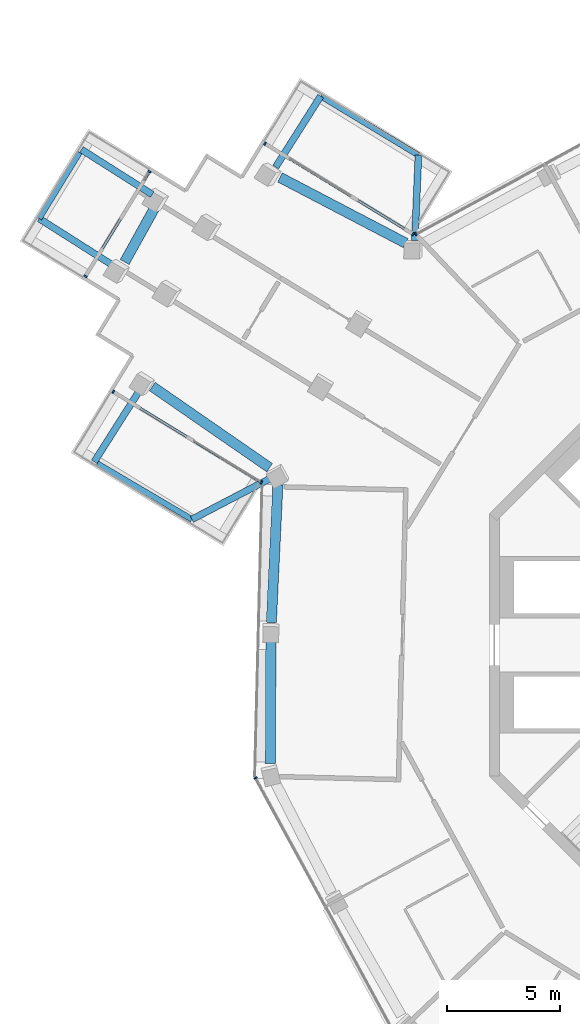
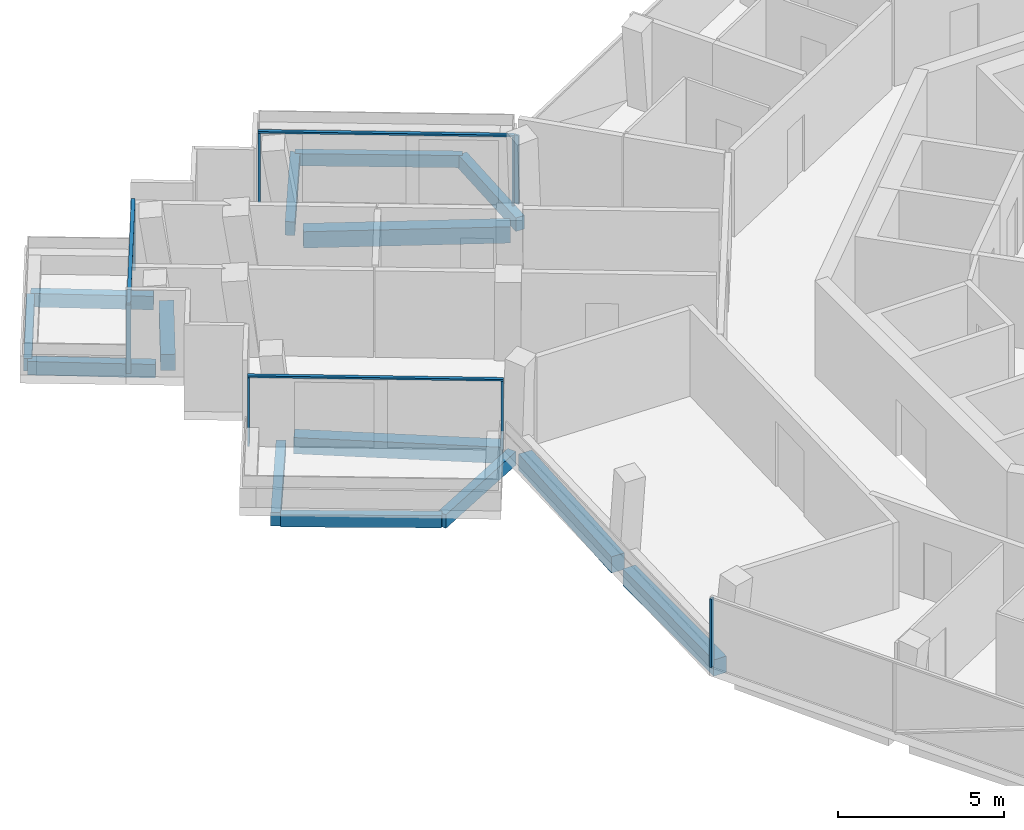
# One storey, part 5 of 24: 14 beams, 11 members, 5 elements without a shape of their own.
"""IFC4 building model written with IfcOpenShell, lengths in metres."""

from ifc_helpers import new_model, si_unit, direction, frame, origin, origin_2d, place, context, subcontext, project, spatial, rectangle, extrude, material, layer, layer_set, material_profile, profile_set, type_object, element, aggregate, save


model = new_model("IFC4")

# Units and contexts
model_context = context("Model", 3, precision=1e-05, world=origin(), true_north=direction((0.0, 1.0)))
body_context = subcontext(model_context, "Body", "Model", "MODEL_VIEW")
ifc_project = project(units=[si_unit("LENGTHUNIT", "METRE"), si_unit("AREAUNIT", "SQUARE_METRE"), si_unit("VOLUMEUNIT", "CUBIC_METRE"), si_unit("PLANEANGLEUNIT", "RADIAN"), si_unit("MASSUNIT", "GRAM", prefix="KILO")], contexts=[model_context])

# Site, building, storey
site_placement = place(None, origin())
site = spatial("IfcSite", under=ifc_project, at=site_placement, CompositionType="ELEMENT")
building_placement = place(site_placement, origin())
building = spatial("IfcBuilding", under=site, at=building_placement, Name="Verdalira Terraces Hotel", CompositionType="ELEMENT")
storey_placement = place(building_placement, frame((0.0, 0.0, 274.0)))
storey = spatial("IfcBuildingStorey", under=building, at=storey_placement, Name="L67", CompositionType="ELEMENT", Elevation=274.0)

# Beams
ifc_material_1 = material(Name="Concrete C40", Category="concrete")
ifc_material_profile_1 = material_profile(ifc_material_1, rectangle(XDim=0.300049, YDim=0.5, at=origin_2d()), Name="RC 300X500")
ifc_profile_set_1 = profile_set([ifc_material_profile_1], Name="Concrete C40")
beam_type_1 = type_object("IfcBeamType", Name="Balcony cantilever beam RC 300X500 C40", PredefinedType="BEAM", material=ifc_profile_set_1)
beam_1_placement = place(storey_placement, frame((-17.291016, 17.873779, -0.560059), z_axis=(0.041918896, 0.999121017, 0.0), x_axis=(-0.999121017, 0.041918896, 0.0)))
element("IfcBeam", 1, at=beam_1_placement, inside=storey, type_object=beam_type_1, Name="Balcony cantilever beam R00-1", PredefinedType="BEAM", context=body_context, shape_type="SweptSolid", body=[
    extrude(rectangle(XDim=0.300049, YDim=0.5, at=origin_2d()), origin(), (0.0, 0.0, 1.0), 3.768311),
])
beam_2_placement = place(storey_placement, frame((-23.438232, 21.117432, -0.560059), z_axis=(0.535814513, 0.84433572, 0.0), x_axis=(-0.84433572, 0.535814513, 0.0)))
element("IfcBeam", 2, at=beam_2_placement, inside=storey, type_object=beam_type_1, Name="Balcony cantilever beam R00-2", PredefinedType="BEAM", context=body_context, shape_type="SweptSolid", body=[
    extrude(rectangle(XDim=0.300049, YDim=0.5, at=origin_2d()), origin(), (0.0, 0.0, 1.0), 3.708984),
])
beam_3_placement = place(storey_placement, frame((-28.891602, 19.903564, -0.560059), z_axis=(-0.84431396, 0.535848801, 0.0), x_axis=(-0.535848801, -0.84431396, 0.0)))
element("IfcBeam", 3, at=beam_3_placement, inside=storey, type_object=beam_type_1, Name="Balcony cantilever beam R05-1", PredefinedType="BEAM", context=body_context, shape_type="SweptSolid", body=[
    extrude(rectangle(XDim=0.300049, YDim=0.5, at=origin_2d()), origin(), (0.0, 0.0, 1.0), 3.709717),
])
beam_4_placement = place(storey_placement, frame((-30.625488, 16.767578, -0.560059), z_axis=(-0.844342056, 0.535804528, 0.0), x_axis=(-0.535804528, -0.844342056, 0.0)))
element("IfcBeam", 4, at=beam_4_placement, inside=storey, type_object=beam_type_1, Name="Balcony cantilever beam R05-2", PredefinedType="BEAM", context=body_context, shape_type="SweptSolid", body=[
    extrude(rectangle(XDim=0.300049, YDim=0.5, at=origin_2d()), origin(), (0.0, 0.0, 1.0), 3.866211),
])
beam_5_placement = place(storey_placement, frame((-29.411621, 11.314209, -0.560059), z_axis=(-0.535806003, -0.84434112, 0.0), x_axis=(0.84434112, -0.535806003, 0.0)))
element("IfcBeam", 5, at=beam_5_placement, inside=storey, type_object=beam_type_1, Name="Balcony cantilever beam R10-1", PredefinedType="BEAM", context=body_context, shape_type="SweptSolid", body=[
    extrude(rectangle(XDim=0.300049, YDim=0.5, at=origin_2d()), origin(), (0.0, 0.0, 1.0), 3.8125),
])
beam_6_placement = place(storey_placement, frame((-23.638916, 7.378174, -0.560059), z_axis=(-0.886196607, -0.463309371, 0.0), x_axis=(0.463309371, -0.886196607, 0.0)))
element("IfcBeam", 6, at=beam_6_placement, inside=storey, type_object=beam_type_1, Name="Balcony cantilever beam R10-2", PredefinedType="BEAM", context=body_context, shape_type="SweptSolid", body=[
    extrude(rectangle(XDim=0.300049, YDim=0.5, at=origin_2d()), origin(), (0.0, 0.0, 1.0), 3.949951),
])
ifc_material_2 = material(Name="Concrete C40", Category="concrete")
ifc_material_profile_2 = material_profile(ifc_material_2, rectangle(XDim=0.25, YDim=0.449951, at=origin_2d()), Name="RC 250X450")
ifc_profile_set_2 = profile_set([ifc_material_profile_2], Name="Concrete C40")
beam_type_2 = type_object("IfcBeamType", Name="Balcony edge beam RC 250X450 C40", PredefinedType="BEAM", material=ifc_profile_set_2)
beam_7_placement = place(storey_placement, frame((-17.133057, 21.638672, -0.534912), z_axis=(-0.85577184, 0.517353416, 0.0), x_axis=(-0.517353416, -0.85577184, 0.0)))
element("IfcBeam", 7, at=beam_7_placement, inside=storey, type_object=beam_type_2, Name="Balcony edge beam R00-1", PredefinedType="BEAM", context=body_context, shape_type="SweptSolid", body=[
    extrude(rectangle(XDim=0.25, YDim=0.449951, at=origin_2d()), origin(), (0.0, 0.0, 1.0), 5.045654),
])
beam_8_placement = place(storey_placement, frame((-32.102051, 21.763428, -0.534912), z_axis=(-0.521611346, -0.853183218, 0.0), x_axis=(0.853183218, -0.521611346, 0.0)))
element("IfcBeam", 8, at=beam_8_placement, inside=storey, type_object=beam_type_2, Name="Balcony edge beam R05-1", PredefinedType="BEAM", context=body_context, shape_type="SweptSolid", body=[
    extrude(rectangle(XDim=0.25, YDim=0.449951, at=origin_2d()), origin(), (0.0, 0.0, 1.0), 3.42749),
])
beam_9_placement = place(storey_placement, frame((-31.325195, 8.018799, -0.534912), z_axis=(0.861171418, -0.508314655, 0.0), x_axis=(0.508314655, 0.861171418, 0.0)))
element("IfcBeam", 9, at=beam_9_placement, inside=storey, type_object=beam_type_2, Name="Balcony edge beam R10-1", PredefinedType="BEAM", context=body_context, shape_type="SweptSolid", body=[
    extrude(rectangle(XDim=0.25, YDim=0.449951, at=origin_2d()), origin(), (0.0, 0.0, 1.0), 4.860596),
])

# Curtain wall, member
ifc_material_3 = material(Name="Clear glass", Category="glass")
ifc_layer_1 = layer(ifc_material_3, 0.14990234375)
ifc_layer_set_1 = layer_set([ifc_layer_1], Name="CW1 curtain wall")
curtain_wall_type_1 = type_object("IfcCurtainWallType", Name="CW1 curtain wall", PredefinedType="NOTDEFINED", material=ifc_layer_set_1)
curtain_wall_1_placement = place(storey_placement, origin())
curtain_wall_1 = element("IfcCurtainWall", 10, at=curtain_wall_1_placement, inside=storey, type_object=curtain_wall_type_1, Name="CW1 curtain wall L67 edge 12", PredefinedType="NOTDEFINED")
ifc_material_4 = material(Name="Terracotta frame", Category="masonry")
ifc_material_profile_3 = material_profile(ifc_material_4, rectangle(XDim=0.060059, YDim=0.149902, at=origin_2d()), Name="MU 60x150")
ifc_profile_set_3 = profile_set([ifc_material_profile_3], Name="Terracotta frame")
member_type_1 = type_object("IfcMemberType", Name="CW1 mullion 60x150", PredefinedType="MULLION", material=ifc_profile_set_3)
member_1_placement = place(storey_placement, frame((-24.33374, -5.878906, 0.0), z_axis=(0.0, 0.0, 1.0), x_axis=(0.478078794, -0.878316951, 0.0)))
member_1 = element("IfcMember", 11, at=member_1_placement, type_object=member_type_1, Name="CW1 mullion", PredefinedType="MULLION", context=body_context, shape_type="SweptSolid", body=[
    extrude(rectangle(XDim=0.060059, YDim=0.149902, at=origin_2d()), origin(), (0.0, 0.0, 1.0), 2.524902),
])
aggregate(curtain_wall_1, [member_1])

curtain_wall_2_placement = place(storey_placement, origin())
curtain_wall_2 = element("IfcCurtainWall", 12, at=curtain_wall_2_placement, inside=storey, type_object=curtain_wall_type_1, Name="CW1 curtain wall L67 edge 41", PredefinedType="NOTDEFINED")
member_2_placement = place(storey_placement, frame((-17.244141, 18.147461, 0.0), z_axis=(0.0, 0.0, 1.0), x_axis=(-0.878316951, -0.478078794, 0.0)))
member_2 = element("IfcMember", 13, at=member_2_placement, type_object=member_type_1, Name="CW1 mullion", PredefinedType="MULLION", context=body_context, shape_type="SweptSolid", body=[
    extrude(rectangle(XDim=0.060059, YDim=0.149902, at=origin_2d()), origin(), (0.0, 0.0, 1.0), 2.524902),
])
aggregate(curtain_wall_2, [member_2])

# Curtain wall, members
ifc_material_5 = material(Name="Clear glass", Category="glass")
ifc_layer_2 = layer(ifc_material_5, 0.14990234375)
ifc_layer_set_2 = layer_set([ifc_layer_2], Name="CW2 curtain wall")
curtain_wall_type_2 = type_object("IfcCurtainWallType", Name="CW2 curtain wall", PredefinedType="NOTDEFINED", material=ifc_layer_set_2)
curtain_wall_3_placement = place(storey_placement, origin())
curtain_wall_3 = element("IfcCurtainWall", 14, at=curtain_wall_3_placement, inside=storey, type_object=curtain_wall_type_2, Name="CW2 curtain wall L67 edge 0", PredefinedType="NOTDEFINED")
ifc_material_6 = material(Name="Terracotta frame", Category="masonry")
ifc_material_profile_4 = material_profile(ifc_material_6, rectangle(XDim=0.070068, YDim=0.149902, at=origin_2d()), Name="MU 70x150")
ifc_profile_set_4 = profile_set([ifc_material_profile_4], Name="Terracotta frame")
member_type_2 = type_object("IfcMemberType", Name="CW2 mullion 70x150", PredefinedType="MULLION", material=ifc_profile_set_4)
member_3_placement = place(storey_placement, frame((-17.375488, 18.15332, 0.0), z_axis=(0.0, 0.0, 1.0), x_axis=(-0.853186856, 0.521605396, 0.0)))
member_3 = element("IfcMember", 15, at=member_3_placement, type_object=member_type_2, Name="CW2 mullion", PredefinedType="MULLION", context=body_context, shape_type="SweptSolid", body=[
    extrude(rectangle(XDim=0.070068, YDim=0.149902, at=origin_2d()), origin(), (0.0, 0.0, 1.0), 2.524902),
])
member_4_placement = place(storey_placement, frame((-23.913086, 22.150146, 0.0), z_axis=(0.0, 0.0, 1.0), x_axis=(-0.853186856, 0.521605396, 0.0)))
member_4 = element("IfcMember", 16, at=member_4_placement, type_object=member_type_2, Name="CW2 mullion", PredefinedType="MULLION", context=body_context, shape_type="SweptSolid", body=[
    extrude(rectangle(XDim=0.070068, YDim=0.149902, at=origin_2d()), origin(), (0.0, 0.0, 1.0), 2.524902),
])

curtain_wall_4_placement = place(storey_placement, origin())
curtain_wall_4 = element("IfcCurtainWall", 17, at=curtain_wall_4_placement, inside=storey, type_object=curtain_wall_type_2, Name="CW2 curtain wall L67 edge 10", PredefinedType="NOTDEFINED")
member_5_placement = place(storey_placement, frame((-30.615723, 11.186768, 0.0), z_axis=(0.0, 0.0, 1.0), x_axis=(0.853186856, -0.521605396, 0.0)))
member_5 = element("IfcMember", 18, at=member_5_placement, type_object=member_type_2, Name="CW2 mullion", PredefinedType="MULLION", context=body_context, shape_type="SweptSolid", body=[
    extrude(rectangle(XDim=0.070068, YDim=0.149902, at=origin_2d()), origin(), (0.0, 0.0, 1.0), 2.524902),
])
member_6_placement = place(storey_placement, frame((-24.078125, 7.189697, 0.0), z_axis=(0.0, 0.0, 1.0), x_axis=(0.853186856, -0.521605396, 0.0)))
member_6 = element("IfcMember", 19, at=member_6_placement, type_object=member_type_2, Name="CW2 mullion", PredefinedType="MULLION", context=body_context, shape_type="SweptSolid", body=[
    extrude(rectangle(XDim=0.070068, YDim=0.149902, at=origin_2d()), origin(), (0.0, 0.0, 1.0), 2.524902),
])

# Member
ifc_material_7 = material(Name="Terracotta frame", Category="masonry")
ifc_material_profile_5 = material_profile(ifc_material_7, rectangle(XDim=0.11499, YDim=0.064941, at=origin_2d()), Name="TR 65x115")
ifc_profile_set_5 = profile_set([ifc_material_profile_5], Name="Terracotta frame")
member_type_3 = type_object("IfcMemberType", Name="CW2 transom 65x115", PredefinedType="USERDEFINED", material=ifc_profile_set_5)
member_7_placement = place(storey_placement, frame((-17.345459, 18.13501, 2.557617), z_axis=(-0.853184263, 0.521609637, 0.0), x_axis=(-0.521609637, -0.853184263, 0.0)))
member_7 = element("IfcMember", 20, at=member_7_placement, type_object=member_type_3, Name="CW2 transom", ObjectType="TRANSOM", PredefinedType="USERDEFINED", context=body_context, shape_type="SweptSolid", body=[
    extrude(rectangle(XDim=0.11499, YDim=0.064941, at=origin_2d()), origin(), (0.0, 0.0, 1.0), 7.732666),
])

aggregate(curtain_wall_3, [member_3, member_4, member_7])

member_8_placement = place(storey_placement, frame((-30.645508, 11.204834, 2.557617), z_axis=(0.853198314, -0.521586654, 0.0), x_axis=(0.521586654, 0.853198314, 0.0)))
member_8 = element("IfcMember", 21, at=member_8_placement, type_object=member_type_3, Name="CW2 transom", ObjectType="TRANSOM", PredefinedType="USERDEFINED", context=body_context, shape_type="SweptSolid", body=[
    extrude(rectangle(XDim=0.11499, YDim=0.064941, at=origin_2d()), origin(), (0.0, 0.0, 1.0), 7.732666),
])

aggregate(curtain_wall_4, [member_5, member_6, member_8])

# Curtain wall, members
ifc_material_8 = material(Name="Clear glass", Category="glass")
ifc_layer_3 = layer(ifc_material_8, 0.14990234375)
ifc_layer_set_3 = layer_set([ifc_layer_3], Name="CW3 curtain wall")
curtain_wall_type_3 = type_object("IfcCurtainWallType", Name="CW3 curtain wall", PredefinedType="NOTDEFINED", material=ifc_layer_set_3)
curtain_wall_5_placement = place(storey_placement, origin())
curtain_wall_5 = element("IfcCurtainWall", 22, at=curtain_wall_5_placement, inside=storey, type_object=curtain_wall_type_3, Name="CW3 curtain wall L67 edge 5", PredefinedType="NOTDEFINED")
ifc_material_9 = material(Name="Terracotta frame", Category="masonry")
ifc_material_profile_6 = material_profile(ifc_material_9, rectangle(XDim=0.080078, YDim=0.149902, at=origin_2d()), Name="MU 80x150")
ifc_profile_set_6 = profile_set([ifc_material_profile_6], Name="Terracotta frame")
member_type_4 = type_object("IfcMemberType", Name="CW3 mullion 80x150", PredefinedType="MULLION", material=ifc_profile_set_6)
member_9_placement = place(storey_placement, frame((-29.016113, 20.915771, 0.0), z_axis=(0.0, 0.0, 1.0), x_axis=(-0.521605396, -0.853186856, 0.0)))
member_9 = element("IfcMember", 23, at=member_9_placement, type_object=member_type_4, Name="CW3 mullion", PredefinedType="MULLION", context=body_context, shape_type="SweptSolid", body=[
    extrude(rectangle(XDim=0.080078, YDim=0.149902, at=origin_2d()), origin(), (0.0, 0.0, 1.0), 2.524902),
])
member_10_placement = place(storey_placement, frame((-31.843262, 16.291504, 0.0), z_axis=(0.0, 0.0, 1.0), x_axis=(-0.521605396, -0.853186856, 0.0)))
member_10 = element("IfcMember", 24, at=member_10_placement, type_object=member_type_4, Name="CW3 mullion", PredefinedType="MULLION", context=body_context, shape_type="SweptSolid", body=[
    extrude(rectangle(XDim=0.080078, YDim=0.149902, at=origin_2d()), origin(), (0.0, 0.0, 1.0), 2.524902),
])
ifc_material_10 = material(Name="Terracotta frame", Category="masonry")
ifc_material_profile_7 = material_profile(ifc_material_10, rectangle(XDim=0.120117, YDim=0.064941, at=origin_2d()), Name="TR 65x120")
ifc_profile_set_7 = profile_set([ifc_material_profile_7], Name="Terracotta frame")
member_type_5 = type_object("IfcMemberType", Name="CW3 transom 65x120", PredefinedType="USERDEFINED", material=ifc_profile_set_7)
member_11_placement = place(storey_placement, frame((-28.995361, 20.949707, 2.557617), z_axis=(-0.521593649, -0.853194037, 0.0), x_axis=(0.853194037, -0.521593649, 0.0)))
member_11 = element("IfcMember", 25, at=member_11_placement, type_object=member_type_5, Name="CW3 transom", ObjectType="TRANSOM", PredefinedType="USERDEFINED", context=body_context, shape_type="SweptSolid", body=[
    extrude(rectangle(XDim=0.120117, YDim=0.064941, at=origin_2d()), origin(), (0.0, 0.0, 1.0), 5.499756),
])
aggregate(curtain_wall_5, [member_9, member_10, member_11])

# Beams
ifc_material_11 = material(Name="Concrete C40", Category="concrete")
ifc_material_profile_8 = material_profile(ifc_material_11, rectangle(XDim=0.449951, YDim=0.600098, at=origin_2d()), Name="RC 450X600")
ifc_profile_set_8 = profile_set([ifc_material_profile_8], Name="Concrete C40")
beam_type_3 = type_object("IfcBeamType", Name="Spandrel beam RC 450X600 C40", PredefinedType="SPANDREL", material=ifc_profile_set_8)
beam_10_placement = place(storey_placement, frame((-17.700439, 17.75708, -0.610107), z_axis=(-0.886239637, 0.463227056, 0.0), x_axis=(-0.463227056, -0.886239637, 0.0)))
element("IfcBeam", 26, at=beam_10_placement, inside=storey, type_object=beam_type_3, Name="Spandrel beam B01", PredefinedType="SPANDREL", context=body_context, shape_type="SweptSolid", body=[
    extrude(rectangle(XDim=0.449951, YDim=0.600098, at=origin_2d()), origin(), (0.0, 0.0, 1.0), 6.259277),
])
beam_11_placement = place(storey_placement, frame((-28.733398, 19.406982, -0.610107), z_axis=(-0.484797009, -0.874626698, 0.0), x_axis=(0.874626698, -0.484797009, 0.0)))
element("IfcBeam", 27, at=beam_11_placement, inside=storey, type_object=beam_type_3, Name="Spandrel beam B02", PredefinedType="SPANDREL", context=body_context, shape_type="SweptSolid", body=[
    extrude(rectangle(XDim=0.449951, YDim=0.600098, at=origin_2d()), origin(), (0.0, 0.0, 1.0), 2.843262),
])
beam_12_placement = place(storey_placement, frame((-28.891113, 11.418213, -0.610107), z_axis=(0.822298185, -0.569056846, 0.0), x_axis=(0.569056846, 0.822298185, 0.0)))
element("IfcBeam", 28, at=beam_12_placement, inside=storey, type_object=beam_type_3, Name="Spandrel beam B03", PredefinedType="SPANDREL", context=body_context, shape_type="SweptSolid", body=[
    extrude(rectangle(XDim=0.449951, YDim=0.600098, at=origin_2d()), origin(), (0.0, 0.0, 1.0), 6.301025),
])
beam_13_placement = place(storey_placement, frame((-23.34375, 7.085449, -0.610107), z_axis=(-0.047363515, -0.998877719, 0.0), x_axis=(0.998877719, -0.047363515, 0.0)))
element("IfcBeam", 29, at=beam_13_placement, inside=storey, type_object=beam_type_3, Name="Spandrel beam B04", PredefinedType="SPANDREL", context=body_context, shape_type="SweptSolid", body=[
    extrude(rectangle(XDim=0.449951, YDim=0.600098, at=origin_2d()), origin(), (0.0, 0.0, 1.0), 6.0979),
])
beam_14_placement = place(storey_placement, frame((-23.650879, 0.280273, -0.610107), z_axis=(-0.004996621, -0.999987517, 0.0), x_axis=(0.999987517, -0.004996621, 0.0)))
element("IfcBeam", 30, at=beam_14_placement, inside=storey, type_object=beam_type_3, Name="Spandrel beam B05", PredefinedType="SPANDREL", context=body_context, shape_type="SweptSolid", body=[
    extrude(rectangle(XDim=0.449951, YDim=0.600098, at=origin_2d()), origin(), (0.0, 0.0, 1.0), 5.52124),
])

save(model, "model.ifc")
